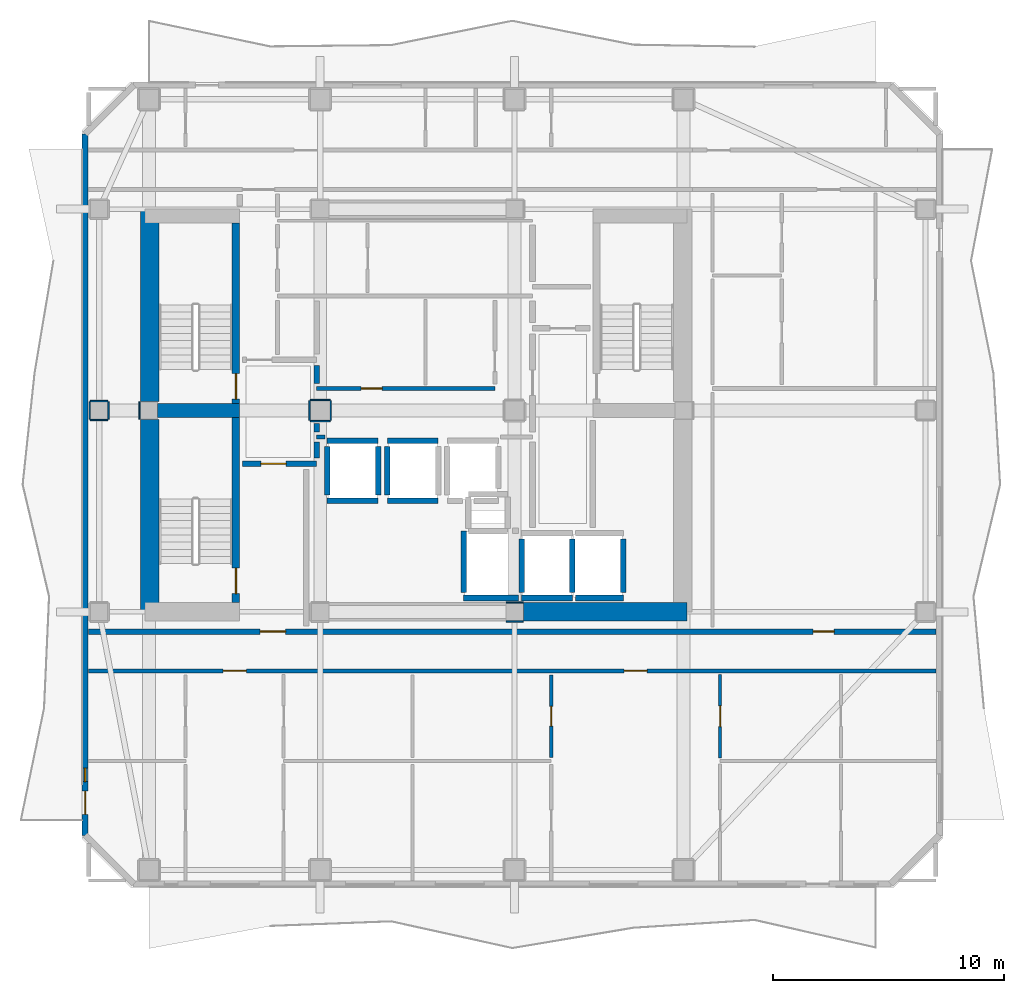
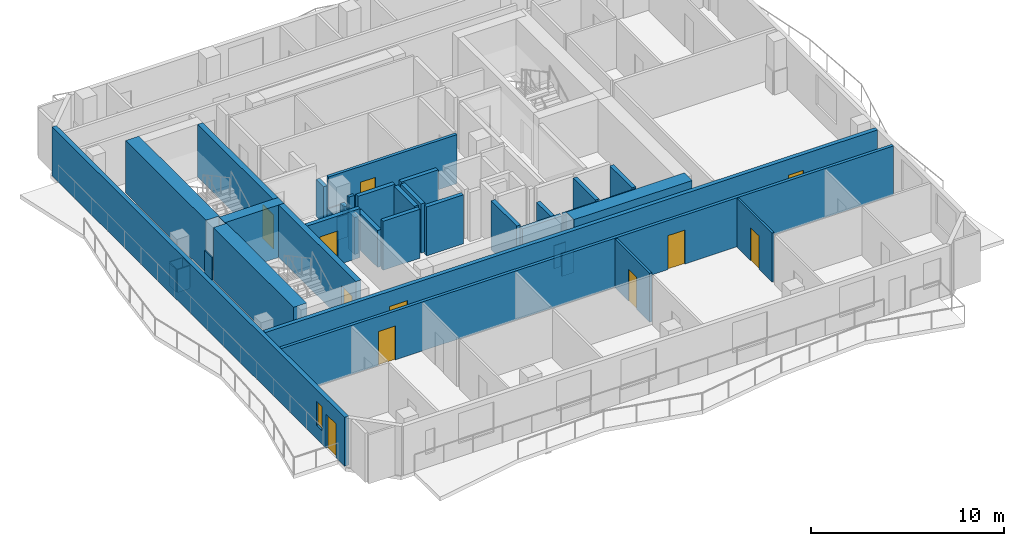
# One storey, part 3 of 9: 42 walls, 11 doors, 1 window, 12 openings.
"""IFC4 building model written with IfcOpenShell, lengths in metres."""

import ifcopenshell
import ifcopenshell.guid

model = None  # the IFC model being written
_history = None  # IfcOwnerHistory: only IFC2X3 demands one
_inside = {}  # id of a spatial element -> (the spatial element, [elements in it])
_under = {}  # id of a project, library or spatial element -> (it, [spatial elements below it])
_declared = {}  # id of a project -> (the project, [libraries it declares])
_typed = {}  # id of a type object -> (the type object, [elements of that type])
_made_of = {}  # id of a material, layer set ... -> (it, [elements and type objects made of it])


def new_model(schema):
    """Start an empty IFC model of exactly this schema.

    Asked for "IFC4X3", IfcOpenShell would pick the latest addendum, in which some entities
    have other attributes; the version numbers below select the first issue.
    IFC2X3 requires an IfcOwnerHistory on every rooted entity: one is made here for all.
    """
    global model, _history
    if schema == "IFC4X3":
        model = ifcopenshell.file(schema_version=(4, 3, 0, 0))
    else:
        model = ifcopenshell.file(schema=schema)
    _inside.clear()
    _under.clear()
    _declared.clear()
    _typed.clear()
    _made_of.clear()
    _history = None
    if model.schema == "IFC2X3":
        org = make("IfcOrganization", Name="unknown")
        user = make(
            "IfcPersonAndOrganization",
            ThePerson=make("IfcPerson", FamilyName="unknown"),
            TheOrganization=org,
        )
        app = make(
            "IfcApplication",
            ApplicationDeveloper=org,
            Version="unknown",
            ApplicationFullName="unknown",
            ApplicationIdentifier="unknown",
        )
        _history = make(
            "IfcOwnerHistory",
            OwningUser=user,
            OwningApplication=app,
            ChangeAction="ADDED",
            CreationDate=0,
        )
    return model


def make(cls, **values):
    """One entity of the class cls with the attributes given. An attribute that is None is left unset."""
    return model.create_entity(
        cls, **{name: value for name, value in values.items() if value is not None}
    )


def rooted(cls, **values):
    """An entity with a GlobalId (a new one), such as an element, a storey or a relation."""
    return make(cls, GlobalId=ifcopenshell.guid.new(), OwnerHistory=_history, **values)


def si_unit(unit_type, name, prefix=None):
    """IfcSIUnit, for example si_unit("LENGTHUNIT", "METRE", prefix="MILLI")."""
    return make("IfcSIUnit", UnitType=unit_type, Prefix=prefix, Name=name)


def assignment(units):
    """IfcUnitAssignment: the units of a project."""
    return None if units is None else make("IfcUnitAssignment", Units=units)


def point(xyz):
    """IfcCartesianPoint."""
    return None if xyz is None else make("IfcCartesianPoint", Coordinates=xyz)


def direction(xyz):
    """IfcDirection."""
    return None if xyz is None else make("IfcDirection", DirectionRatios=xyz)


def frame(location, z_axis=None, x_axis=None):
    """IfcAxis2Placement3D, a coordinate frame: its origin and axes. An axis left out is left unset."""
    return make(
        "IfcAxis2Placement3D",
        Location=point(location),
        Axis=direction(z_axis),
        RefDirection=direction(x_axis),
    )


def frame_2d(location, x_axis=None):
    """IfcAxis2Placement2D, a coordinate frame in the plane: its origin and x axis."""
    return make(
        "IfcAxis2Placement2D", Location=point(location), RefDirection=direction(x_axis)
    )


def origin():
    """The frame at (0, 0, 0) with its axes left unset."""
    return frame((0.0, 0.0, 0.0))


def place(relative_to, where):
    """IfcLocalPlacement: puts the frame where relative to a parent placement (None: the world)."""
    return make(
        "IfcLocalPlacement", PlacementRelTo=relative_to, RelativePlacement=where
    )


def context(
    kind, dimensions, precision=None, world=None, true_north=None, identifier=None
):
    """IfcGeometricRepresentationContext, for example the 3D "Model" context."""
    return make(
        "IfcGeometricRepresentationContext",
        ContextIdentifier=identifier,
        ContextType=kind,
        CoordinateSpaceDimension=dimensions,
        Precision=precision,
        WorldCoordinateSystem=world,
        TrueNorth=true_north,
    )


def subcontext(parent, identifier, kind, view, scale=None):
    """IfcGeometricRepresentationSubContext, for example "Body" below "Model"."""
    return make(
        "IfcGeometricRepresentationSubContext",
        ContextIdentifier=identifier,
        ContextType=kind,
        ParentContext=parent,
        TargetScale=scale,
        TargetView=view,
    )


def project(units=None, contexts=None):
    """IfcProject with its units and contexts."""
    return rooted(
        "IfcProject",
        Name="project",
        RepresentationContexts=contexts,
        UnitsInContext=assignment(units),
    )


def spatial(cls, under=None, at=None, **own):
    """A site, building, storey or space (cls), placed at a placement, below another one or the project."""
    s = rooted(cls, ObjectPlacement=at, **own)
    if under is not None:
        _under.setdefault(under.id(), (under, []))[1].append(s)
    return s


def profile(cls, at=None, kind="AREA", **sizes):
    """A parametric profile (cls). Its sizes go by their IFC names, for example OverallWidth=200.0."""
    return make(cls, ProfileType=kind, Position=at, **sizes)


def rectangle(**sizes):
    """IfcRectangleProfileDef."""
    return profile("IfcRectangleProfileDef", **sizes)


def extrude(swept, where, along, depth):
    """IfcExtrudedAreaSolid: the profile swept, set in the frame where, extruded along a direction by depth."""
    return make(
        "IfcExtrudedAreaSolid",
        SweptArea=swept,
        Position=where,
        ExtrudedDirection=direction(along),
        Depth=depth,
    )


def shape(context_of_items, identifier, shape_type, items):
    """IfcShapeRepresentation: the items that make up one representation, for example the "Body"."""
    return make(
        "IfcShapeRepresentation",
        ContextOfItems=context_of_items,
        RepresentationIdentifier=identifier,
        RepresentationType=shape_type,
        Items=items,
    )


def material(Name=None, Category=None):
    """IfcMaterial."""
    return make("IfcMaterial", Name=Name, Category=Category)


def layer(
    of_material, thickness, ventilated=None, Name=None, Category=None, Priority=None
):
    """IfcMaterialLayer: one layer of a wall or slab, of a material (None: an air gap)."""
    return make(
        "IfcMaterialLayer",
        Material=of_material,
        LayerThickness=thickness,
        IsVentilated=ventilated,
        Name=Name,
        Category=Category,
        Priority=Priority,
    )


def layer_set(layers, Name=None):
    """IfcMaterialLayerSet."""
    return make("IfcMaterialLayerSet", MaterialLayers=layers, LayerSetName=Name)


def made_of(thing, what):
    """Note that an element or type object is made of a material, layer set ...; save() writes the relation."""
    if what is not None:
        _made_of.setdefault(what.id(), (what, []))[1].append(thing)
    return thing


def type_object(cls, material=None, **own):
    """A type object (cls), such as IfcWallType, which elements share."""
    return made_of(rooted(cls, **own), material)


def element(
    cls,
    number,
    at=None,
    inside=None,
    cuts=None,
    type_object=None,
    material=None,
    context=None,
    identifier="Body",
    shape_type=None,
    held_by="IfcProductDefinitionShape",
    body=None,
    shapes=None,
    **own,
):
    """One element of the class cls, such as IfcWall. Its Tag is "e" and its number.

    at: its placement. inside: the storey or other place that contains it. cuts: it is an
    opening in that element (IfcRelVoidsElement). A single representation is given by context,
    identifier, shape_type and body (its items); several are given by shapes. held_by: the class
    of the entity that holds the representations. save() writes the other relations.
    """
    e = rooted(cls, Tag="e%d" % number, ObjectPlacement=at, **own)
    if body is not None:
        shapes = [shape(context, identifier, shape_type, body)]
    if shapes is not None:
        e.Representation = make(held_by, Representations=shapes)
    if inside is not None:
        _inside.setdefault(inside.id(), (inside, []))[1].append(e)
    if cuts is not None:
        rooted(
            "IfcRelVoidsElement", RelatingBuildingElement=cuts, RelatedOpeningElement=e
        )
    if type_object is not None:
        _typed.setdefault(type_object.id(), (type_object, []))[1].append(e)
    return made_of(e, material)


def fill(opening, filler):
    """IfcRelFillsElement: the door or window that sits in an opening."""
    return rooted(
        "IfcRelFillsElement",
        RelatingOpeningElement=opening,
        RelatedBuildingElement=filler,
    )


def aggregate(whole, parts):
    """IfcRelAggregates: a whole, such as a stair, and the parts it consists of."""
    return rooted("IfcRelAggregates", RelatingObject=whole, RelatedObjects=parts)


def save(model, path):
    """Write the relations noted so far, then the file.

    IfcRelAggregates (storeys below a building ...), IfcRelContainedInSpatialStructure (elements
    in a storey), IfcRelDefinesByType, IfcRelAssociatesMaterial and IfcRelDeclares: one each for
    every whole, place, type object, material and project.
    """
    for whole, parts in _under.values():
        aggregate(whole, parts)
    for where, things in _inside.values():
        rooted(
            "IfcRelContainedInSpatialStructure",
            RelatedElements=things,
            RelatingStructure=where,
        )
    for kind, things in _typed.values():
        rooted("IfcRelDefinesByType", RelatedObjects=things, RelatingType=kind)
    for what, things in _made_of.values():
        rooted("IfcRelAssociatesMaterial", RelatedObjects=things, RelatingMaterial=what)
    for by, libraries in _declared.values():
        rooted("IfcRelDeclares", RelatingContext=by, RelatedDefinitions=libraries)
    model.write(path)


model = new_model("IFC4")

# Units and contexts
model_context = context("Model", 3, precision=1e-05, world=origin(), true_north=direction((0.0, 1.0)))
body_context = subcontext(model_context, "Body", "Model", "MODEL_VIEW")
ifc_project = project(units=[si_unit("LENGTHUNIT", "METRE"), si_unit("AREAUNIT", "SQUARE_METRE"), si_unit("VOLUMEUNIT", "CUBIC_METRE"), si_unit("PLANEANGLEUNIT", "RADIAN"), si_unit("MASSUNIT", "GRAM", prefix="KILO")], contexts=[model_context])

# Site, building, storey
site_placement = place(None, origin())
site = spatial("IfcSite", under=ifc_project, at=site_placement, CompositionType="ELEMENT")
building_placement = place(site_placement, origin())
building = spatial("IfcBuilding", under=site, at=building_placement, Name="Solanera Arch Residences", CompositionType="ELEMENT")
storey_placement = place(building_placement, frame((0.0, 0.0, 213.39990234375)))
storey = spatial("IfcBuildingStorey", under=building, at=storey_placement, Name="L62", CompositionType="ELEMENT", Elevation=213.39990234375)

# Walls
ifc_material_1 = material(Name="Fire-Rated Gypsum Stud Partition", Category="gypsum")
ifc_layer_1 = layer(ifc_material_1, 0.06005859375)
ifc_layer_set_1 = layer_set([ifc_layer_1], Name="Fire-Rated Gypsum Stud Partition")
wall_type_1 = type_object("IfcWallType", Name="Column Acoustic Furring Wall 60", PredefinedType="PARTITIONING", material=ifc_layer_set_1)
for number, where, z_axis, x_axis, name in (
    (1, (28.8330078125, 21.593017578125, 0.0), (0.0, 0.0, 1.0), (1.0, 0.0, 0.0), "L62 Column Furring 2S"),
    (2, (28.8330078125, 22.406982421875, 0.0), (0.0, 0.0, 1.0), (1.0, 0.0, 0.0), "L62 Column Furring 2N"),
):
    element("IfcWall", number, at=place(storey_placement, frame(where, z_axis=z_axis, x_axis=x_axis)), inside=storey, type_object=wall_type_1, Name=name, PredefinedType="PARTITIONING", context=body_context, shape_type="SweptSolid", body=[
        extrude(rectangle(XDim=0.73388671875, YDim=0.06005859375, at=frame_2d((0.366943359375, 0.0))), origin(), (0.0, 0.0, 1.0), 1.4501953125),
    ])
wall_1_placement = place(storey_placement, frame((12.992919921875, 30.324951171875, 0.0), z_axis=(0.0, 0.0, 1.0), x_axis=(0.0, 1.0, 0.0)))
element("IfcWall", 3, at=wall_1_placement, inside=storey, type_object=wall_type_1, Name="L62 Column Furring 5W", PredefinedType="PARTITIONING", context=body_context, shape_type="SweptSolid", body=[
    extrude(rectangle(XDim=0.75, YDim=0.06005859375, at=frame_2d((0.375, 0.0))), origin(), (0.0, 0.0, 1.0), 1.4501953125),
])
for number, where, z_axis, x_axis, name in (
    (4, (20.375, 30.242919921875, 0.0), (0.0, 0.0, 1.0), (1.0, 0.0, 0.0), "L62 Column Furring 7S"),
    (5, (20.375, 31.156982421875, 0.0), (0.0, 0.0, 1.0), (1.0, 0.0, 0.0), "L62 Column Furring 7N"),
    (6, (20.343017578125, 30.27490234375, 0.0), (0.0, 0.0, 1.0), (0.0, 1.0, 0.0), "L62 Column Furring 7W"),
    (7, (21.257080078125, 30.27490234375, 0.0), (0.0, 0.0, 1.0), (0.0, 1.0, 0.0), "L62 Column Furring 7E"),
):
    element("IfcWall", number, at=place(storey_placement, frame(where, z_axis=z_axis, x_axis=x_axis)), inside=storey, type_object=wall_type_1, Name=name, PredefinedType="PARTITIONING", context=body_context, shape_type="SweptSolid", body=[
        extrude(rectangle(XDim=0.85009765625, YDim=0.06005859375, at=frame_2d((0.425048828125, 0.0))), origin(), (0.0, 0.0, 1.0), 1.4501953125),
    ])
for number, where, z_axis, x_axis, name in (
    (8, (10.875, 30.29296875, 0.0), (0.0, 0.0, 1.0), (1.0, 0.0, 0.0), "L62 Column Furring 19S"),
    (9, (10.875, 31.10693359375, 0.0), (0.0, 0.0, 1.0), (1.0, 0.0, 0.0), "L62 Column Furring 19N"),
    (10, (10.843017578125, 30.324951171875, 0.0), (0.0, 0.0, 1.0), (0.0, 1.0, 0.0), "L62 Column Furring 19W"),
    (11, (11.656982421875, 30.324951171875, 0.0), (0.0, 0.0, 1.0), (0.0, 1.0, 0.0), "L62 Column Furring 19E"),
):
    element("IfcWall", number, at=place(storey_placement, frame(where, z_axis=z_axis, x_axis=x_axis)), inside=storey, type_object=wall_type_1, Name=name, PredefinedType="PARTITIONING", context=body_context, shape_type="SweptSolid", body=[
        extrude(rectangle(XDim=0.75, YDim=0.06005859375, at=frame_2d((0.375, 0.0))), origin(), (0.0, 0.0, 1.0), 1.4501953125),
    ])

# Wall, opening, door
ifc_material_2 = material(Name="Concrete C40/50 (f'c = 45 MPa)", Category="concrete")
ifc_layer_2 = layer(ifc_material_2, 0.320068359375)
ifc_layer_set_2 = layer_set([ifc_layer_2], Name="Concrete C40/50 (f'c = 45 MPa)")
wall_type_2 = type_object("IfcWallType", Name="Core Shear Wall CW-320", PredefinedType="SHEAR", material=ifc_layer_set_2)
wall_2_placement = place(storey_placement, frame((17.159912109375, 31.0, 0.0), z_axis=(0.0, 0.0, 1.0), x_axis=(0.0, 1.0, 0.0)))
wall_2 = element("IfcWall", 12, at=wall_2_placement, inside=storey, type_object=wall_type_2, Name="L62 Stair ST-T1 East Shear Wall", PredefinedType="SHEAR", context=body_context, shape_type="SweptSolid", body=[
    extrude(rectangle(XDim=7.800048828125, YDim=0.320068359375, at=frame_2d((3.89990234375, 0.0))), origin(), (0.0, 0.0, 1.0), 3.320068359375),
])
opening_1_placement = place(wall_2_placement, frame((0.18994140625, 0.0, 0.0)))
opening_1 = element("IfcOpeningElement", 13, at=opening_1_placement, cuts=wall_2, Name="Opening DF-01", PredefinedType="OPENING", context=body_context, shape_type="SweptSolid", body=[
    extrude(rectangle(XDim=1.10009765625, YDim=2.14990234375, at=frame_2d((0.550048828125, 1.074951171875))), frame((0.0, 0.169921875, 0.0), z_axis=(0.0, -1.0, 0.0), x_axis=(1.0, 0.0, 0.0)), (0.0, 0.0, 1.0), 0.3401),
])
ifc_material_3 = material(Name="Fire-Rated Architectural Hardwood", Category="wood")
door_type_1 = type_object("IfcDoorType", Name="Stair Exit Fire Door DF-01", OperationType="NOTDEFINED", PredefinedType="DOOR", material=ifc_material_3)
door_1_placement = place(opening_1_placement, origin())
door_1 = element("IfcDoor", 14, at=door_1_placement, inside=storey, type_object=door_type_1, Name="DR-L62-STAIR-ST-T1", OperationType="SINGLE_SWING_RIGHT", OverallHeight=2.14990234375, OverallWidth=1.10009765625, PredefinedType="DOOR", context=body_context, shape_type="SweptSolid", body=[
    extrude(rectangle(XDim=1.10009765625, YDim=2.14990234375, at=frame_2d((0.550048828125, 1.074951171875))), frame((0.0, 0.02490234375, 0.0), z_axis=(0.0, -1.0, 0.0), x_axis=(1.0, 0.0, 0.0)), (0.0, 0.0, 1.0), 0.050048828125),
])
fill(opening_1, door_1)

wall_3_placement = place(storey_placement, frame((17.159912109375, 22.39990234375, 0.0), z_axis=(0.0, 0.0, 1.0), x_axis=(0.0, 1.0, 0.0)))
wall_3 = element("IfcWall", 15, at=wall_3_placement, inside=storey, type_object=wall_type_2, Name="L62 Stair ST-T3 East Shear Wall", PredefinedType="SHEAR", context=body_context, shape_type="SweptSolid", body=[
    extrude(rectangle(XDim=8.0, YDim=0.320068359375, at=frame_2d((4.0, 0.0))), origin(), (0.0, 0.0, 1.0), 3.320068359375),
])
opening_2_placement = place(wall_3_placement, frame((0.389892578125, 0.0, 0.0)))
opening_2 = element("IfcOpeningElement", 16, at=opening_2_placement, cuts=wall_3, Name="Opening DF-01", PredefinedType="OPENING", context=body_context, shape_type="SweptSolid", body=[
    extrude(rectangle(XDim=1.10009765625, YDim=2.14990234375, at=frame_2d((0.550048828125, 1.074951171875))), frame((0.0, 0.169921875, 0.0), z_axis=(0.0, -1.0, 0.0), x_axis=(1.0, 0.0, 0.0)), (0.0, 0.0, 1.0), 0.3401),
])
door_2_placement = place(opening_2_placement, origin())
door_2 = element("IfcDoor", 17, at=door_2_placement, inside=storey, type_object=door_type_1, Name="DR-L62-STAIR-ST-T3", OperationType="SINGLE_SWING_RIGHT", OverallHeight=2.14990234375, OverallWidth=1.10009765625, PredefinedType="DOOR", context=body_context, shape_type="SweptSolid", body=[
    extrude(rectangle(XDim=1.10009765625, YDim=2.14990234375, at=frame_2d((0.550048828125, 1.074951171875))), frame((0.0, 0.02490234375, 0.0), z_axis=(0.0, -1.0, 0.0), x_axis=(1.0, 0.0, 0.0)), (0.0, 0.0, 1.0), 0.050048828125),
])
fill(opening_2, door_2)

# Walls
ifc_material_4 = material(Name="Concrete C40/50 (f'c = 45 MPa)", Category="concrete")
ifc_layer_3 = layer(ifc_material_4, 0.60009765625)
ifc_layer_set_3 = layer_set([ifc_layer_3], Name="Concrete C40/50 (f'c = 45 MPa)")
wall_type_3 = type_object("IfcWallType", Name="Core Shear Wall CW-600", PredefinedType="SHEAR", material=ifc_layer_set_3)
wall_4_placement = place(storey_placement, frame((13.780029296875, 30.699951171875, 0.0), z_axis=(0.0, 0.0, 1.0), x_axis=(1.0, 0.0, 0.0)))
element("IfcWall", 18, at=wall_4_placement, inside=storey, type_object=wall_type_3, Name="L62 West Stair Divider Shear Wall", PredefinedType="SHEAR", context=body_context, shape_type="SweptSolid", body=[
    extrude(rectangle(XDim=3.5400390625, YDim=0.60009765625, at=frame_2d((1.77001953125, 0.0))), origin(), (0.0, 0.0, 1.0), 3.320068359375),
])
ifc_material_5 = material(Name="Concrete C40/50 (f'c = 45 MPa)", Category="concrete")
ifc_layer_4 = layer(ifc_material_5, 0.800048828125)
ifc_layer_set_4 = layer_set([ifc_layer_4], Name="Concrete C40/50 (f'c = 45 MPa)")
wall_type_4 = type_object("IfcWallType", Name="Core Shear Wall CW-800", PredefinedType="SHEAR", material=ifc_layer_set_4)
wall_5_placement = place(storey_placement, frame((13.43994140625, 22.0, 0.0), z_axis=(0.0, 0.0, 1.0), x_axis=(0.0, 1.0, 0.0)))
element("IfcWall", 19, at=wall_5_placement, inside=storey, type_object=wall_type_4, Name="L62 West Core South Shear Wall", PredefinedType="SHEAR", context=body_context, shape_type="SweptSolid", body=[
    extrude(rectangle(XDim=8.320068359375, YDim=0.800048828125, at=frame_2d((4.16015625, 0.0))), origin(), (0.0, 0.0, 1.0), 3.320068359375),
])
wall_6_placement = place(storey_placement, frame((13.43994140625, 31.080078125, 0.0), z_axis=(0.0, 0.0, 1.0), x_axis=(0.0, 1.0, 0.0)))
element("IfcWall", 20, at=wall_6_placement, inside=storey, type_object=wall_type_4, Name="L62 West Core North Shear Wall", PredefinedType="SHEAR", context=body_context, shape_type="SweptSolid", body=[
    extrude(rectangle(XDim=8.31982421875, YDim=0.800048828125, at=frame_2d((4.159912109375, 0.0))), origin(), (0.0, 0.0, 1.0), 3.320068359375),
])
wall_7_placement = place(storey_placement, frame((29.580078125, 22.0, 0.0), z_axis=(0.0, 0.0, 1.0), x_axis=(1.0, 0.0, 0.0)))
element("IfcWall", 21, at=wall_7_placement, inside=storey, type_object=wall_type_4, Name="L62 South-East Core Shear Wall", PredefinedType="SHEAR", context=body_context, shape_type="SweptSolid", body=[
    extrude(rectangle(XDim=7.079833984375, YDim=0.800048828125, at=frame_2d((3.5400390625, 0.0))), origin(), (0.0, 0.0, 1.0), 3.320068359375),
])

# Wall, openings, doors
ifc_material_6 = material(Name="Autoclaved Aerated Concrete Blockwork", Category="masonry")
ifc_layer_5 = layer(ifc_material_6, 0.179931640625)
ifc_layer_set_5 = layer_set([ifc_layer_5], Name="Autoclaved Aerated Concrete Blockwork")
wall_type_5 = type_object("IfcWallType", Name="Corridor Fire Partition 180", PredefinedType="PARTITIONING", material=ifc_layer_set_5)
wall_8_placement = place(storey_placement, frame((10.787109375, 19.449951171875, 0.0), z_axis=(0.0, 0.0, 1.0), x_axis=(1.0, 0.0, 0.0)))
wall_8 = element("IfcWall", 22, at=wall_8_placement, inside=storey, type_object=wall_type_5, Name="L62 Interior Partition H6", PredefinedType="PARTITIONING", context=body_context, shape_type="SweptSolid", body=[
    extrude(rectangle(XDim=36.6259765625, YDim=0.179931640625, at=frame_2d((18.31298828125, 0.0))), origin(), (0.0, 0.0, 1.0), 3.10009765625),
])
opening_3_placement = place(wall_8_placement, frame((5.820068359375, 0.0, 0.0)))
opening_3 = element("IfcOpeningElement", 23, at=opening_3_placement, cuts=wall_8, Name="Opening DI-01", PredefinedType="OPENING", context=body_context, shape_type="SweptSolid", body=[
    extrude(rectangle(XDim=1.0, YDim=2.14990234375, at=frame_2d((0.5, 1.074951171875))), frame((0.0, 0.10009765625, 0.0), z_axis=(0.0, -1.0, 0.0), x_axis=(1.0, 0.0, 0.0)), (0.0, 0.0, 1.0), 0.1999),
])
opening_4_placement = place(wall_8_placement, frame((23.14306640625, 0.0, 0.0)))
opening_4 = element("IfcOpeningElement", 24, at=opening_4_placement, cuts=wall_8, Name="Opening DI-01", PredefinedType="OPENING", context=body_context, shape_type="SweptSolid", body=[
    extrude(rectangle(XDim=1.0, YDim=2.14990234375, at=frame_2d((0.5, 1.074951171875))), frame((0.0, 0.10009765625, 0.0), z_axis=(0.0, -1.0, 0.0), x_axis=(1.0, 0.0, 0.0)), (0.0, 0.0, 1.0), 0.1999),
])
ifc_material_7 = material(Name="Fire-Rated Architectural Hardwood", Category="wood")
door_type_2 = type_object("IfcDoorType", Name="Unit Entrance Fire Door DI-01", OperationType="NOTDEFINED", PredefinedType="DOOR", material=ifc_material_7)
door_3_placement = place(opening_3_placement, origin())
door_3 = element("IfcDoor", 25, at=door_3_placement, inside=storey, type_object=door_type_2, Name="DR-L62-IN-014", OperationType="SINGLE_SWING_LEFT", OverallHeight=2.14990234375, OverallWidth=1.0, PredefinedType="DOOR", context=body_context, shape_type="SweptSolid", body=[
    extrude(rectangle(XDim=1.0, YDim=2.14990234375, at=frame_2d((0.5, 1.074951171875))), frame((0.0, 0.02490234375, 0.0), z_axis=(0.0, -1.0, 0.0), x_axis=(1.0, 0.0, 0.0)), (0.0, 0.0, 1.0), 0.050048828125),
])
fill(opening_3, door_3)
door_4_placement = place(opening_4_placement, origin())
door_4 = element("IfcDoor", 26, at=door_4_placement, inside=storey, type_object=door_type_2, Name="DR-L62-IN-019", OperationType="SINGLE_SWING_RIGHT", OverallHeight=2.14990234375, OverallWidth=1.0, PredefinedType="DOOR", context=body_context, shape_type="SweptSolid", body=[
    extrude(rectangle(XDim=1.0, YDim=2.14990234375, at=frame_2d((0.5, 1.074951171875))), frame((0.0, 0.02490234375, 0.0), z_axis=(0.0, -1.0, 0.0), x_axis=(1.0, 0.0, 0.0)), (0.0, 0.0, 1.0), 0.050048828125),
])
fill(opening_4, door_4)

# Wall
wall_9_placement = place(storey_placement, frame((20.64990234375, 29.550048828125, 0.0), z_axis=(0.0, 0.0, 1.0), x_axis=(1.0, 0.0, 0.0)))
element("IfcWall", 27, at=wall_9_placement, inside=storey, type_object=wall_type_5, Name="L62 Interior Partition H7 1", PredefinedType="PARTITIONING", context=body_context, shape_type="SweptSolid", body=[
    extrude(rectangle(XDim=0.357177734375, YDim=0.179931640625, at=frame_2d((0.1787109375, 0.0))), origin(), (0.0, 0.0, 1.0), 3.10009765625),
])

# Wall, opening, door
wall_10_placement = place(storey_placement, frame((20.64990234375, 31.64990234375, 0.0), z_axis=(0.0, 0.0, 1.0), x_axis=(1.0, 0.0, 0.0)))
wall_10 = element("IfcWall", 28, at=wall_10_placement, inside=storey, type_object=wall_type_5, Name="L62 Interior Partition H8", PredefinedType="PARTITIONING", context=body_context, shape_type="SweptSolid", body=[
    extrude(rectangle(XDim=7.7001953125, YDim=0.179931640625, at=frame_2d((3.85009765625, 0.0))), origin(), (0.0, 0.0, 1.0), 3.10009765625),
])
opening_5_placement = place(wall_10_placement, frame((1.924072265625, 0.0, 0.0)))
opening_5 = element("IfcOpeningElement", 29, at=opening_5_placement, cuts=wall_10, Name="Opening DI-02", PredefinedType="OPENING", context=body_context, shape_type="SweptSolid", body=[
    extrude(rectangle(XDim=0.89990234375, YDim=2.10009765625, at=frame_2d((0.449951171875, 1.050048828125))), frame((0.0, 0.10009765625, 0.0), z_axis=(0.0, -1.0, 0.0), x_axis=(1.0, 0.0, 0.0)), (0.0, 0.0, 1.0), 0.1999),
])
ifc_material_8 = material(Name="Fire-Rated Architectural Hardwood", Category="wood")
door_type_3 = type_object("IfcDoorType", Name="Suite Room Swing Door DI-02", OperationType="NOTDEFINED", PredefinedType="DOOR", material=ifc_material_8)
door_5_placement = place(opening_5_placement, origin())
door_5 = element("IfcDoor", 30, at=door_5_placement, inside=storey, type_object=door_type_3, Name="DR-L62-IN-012", OperationType="SINGLE_SWING_LEFT", OverallHeight=2.10009765625, OverallWidth=0.89990234375, PredefinedType="DOOR", context=body_context, shape_type="SweptSolid", body=[
    extrude(rectangle(XDim=0.89990234375, YDim=2.10009765625, at=frame_2d((0.449951171875, 1.050048828125))), frame((0.0, 0.02490234375, 0.0), z_axis=(0.0, -1.0, 0.0), x_axis=(1.0, 0.0, 0.0)), (0.0, 0.0, 1.0), 0.050048828125),
])
fill(opening_5, door_5)

# Wall, openings, door, window
ifc_material_9 = material(Name="Precast Concrete C35/45", Category="concrete")
ifc_layer_6 = layer(ifc_material_9, 0.260009765625)
ifc_layer_set_6 = layer_set([ifc_layer_6], Name="Precast Concrete C35/45")
wall_type_6 = type_object("IfcWallType", Name="Exterior Wall Precast Masonry-Frame 260", PredefinedType="STANDARD", material=ifc_layer_set_6)
wall_11_placement = place(storey_placement, frame((10.64501953125, 12.344970703125, 0.0), z_axis=(0.0, 0.0, 1.0), x_axis=(0.0, 1.0, 0.0)))
wall_11 = element("IfcWall", 31, at=wall_11_placement, inside=storey, type_object=wall_type_6, Name="L62 Tower Exterior Precast Masonry-Frame Wall W", PredefinedType="STANDARD", context=body_context, shape_type="SweptSolid", body=[
    extrude(rectangle(XDim=30.31005859375, YDim=0.260009765625, at=frame_2d((15.155029296875, 0.0))), origin(), (0.0, 0.0, 1.0), 3.10009765625),
])
opening_6_placement = place(wall_11_placement, frame((0.909912109375, 0.0, 0.0)))
opening_6 = element("IfcOpeningElement", 32, at=opening_6_placement, cuts=wall_11, Name="Opening DB-01", PredefinedType="OPENING", context=body_context, shape_type="SweptSolid", body=[
    extrude(rectangle(XDim=1.0, YDim=2.14990234375, at=frame_2d((0.5, 1.074951171875))), frame((0.0, 0.139892578125, 0.0), z_axis=(0.0, -1.0, 0.0), x_axis=(1.0, 0.0, 0.0)), (0.0, 0.0, 1.0), 0.28),
])
opening_7_placement = place(wall_11_placement, frame((2.322021484375, 0.0, 0.85009765625)))
opening_7 = element("IfcOpeningElement", 33, at=opening_7_placement, cuts=wall_11, Name="Opening W-14", PredefinedType="OPENING", context=body_context, shape_type="SweptSolid", body=[
    extrude(rectangle(XDim=0.580078125, YDim=1.5, at=frame_2d((0.2900390625, 0.75))), frame((0.0, 0.139892578125, 0.0), z_axis=(0.0, -1.0, 0.0), x_axis=(1.0, 0.0, 0.0)), (0.0, 0.0, 1.0), 0.28),
])
ifc_material_10 = material(Name="Anodised Aluminium Alloy 6063-T6", Category="aluminium")
door_type_4 = type_object("IfcDoorType", Name="Glazed Balcony Swing Door DB-01", OperationType="NOTDEFINED", PredefinedType="DOOR", material=ifc_material_10)
door_6_placement = place(opening_6_placement, origin())
door_6 = element("IfcDoor", 34, at=door_6_placement, inside=storey, type_object=door_type_4, Name="DR-L62-OUT-04", OperationType="SINGLE_SWING_LEFT", OverallHeight=2.14990234375, OverallWidth=1.0, PredefinedType="DOOR", context=body_context, shape_type="SweptSolid", body=[
    extrude(rectangle(XDim=1.0, YDim=2.14990234375, at=frame_2d((0.5, 1.074951171875))), frame((0.0, 0.02490234375, 0.0), z_axis=(0.0, -1.0, 0.0), x_axis=(1.0, 0.0, 0.0)), (0.0, 0.0, 1.0), 0.050048828125),
])
fill(opening_6, door_6)
ifc_material_11 = material(Name="Double Glazed Low-E Laminated Glass", Category="glass")
window_type = type_object("IfcWindowType", Name="Punched Window W-14", PartitioningType="SINGLE_PANEL", PredefinedType="WINDOW", material=ifc_material_11)
window_placement = place(opening_7_placement, origin())
window = element("IfcWindow", 35, at=window_placement, inside=storey, type_object=window_type, Name="L62 6201-BR1 Punched Window", OverallHeight=1.5, OverallWidth=0.580078125, PartitioningType="SINGLE_PANEL", PredefinedType="WINDOW", context=body_context, shape_type="SweptSolid", body=[
    extrude(rectangle(XDim=0.580078125, YDim=1.5, at=frame_2d((0.2900390625, 0.75))), frame((0.0, 0.030029296875, 0.0), z_axis=(0.0, -1.0, 0.0), x_axis=(1.0, 0.0, 0.0)), (0.0, 0.0, 1.0), 0.06005859375),
])
fill(opening_7, window)

# Walls
ifc_material_12 = material(Name="Autoclaved Aerated Concrete Blockwork", Category="masonry")
ifc_layer_7 = layer(ifc_material_12, 0.239990234375)
ifc_layer_set_7 = layer_set([ifc_layer_7], Name="Autoclaved Aerated Concrete Blockwork")
wall_type_7 = type_object("IfcWallType", Name="Shaft Wall Fire-Rated 240", PredefinedType="PARTITIONING", material=ifc_layer_set_7)
for number, where, z_axis, x_axis, name in (
    (36, (21.10009765625, 26.800048828125, 0.0), (0.0, 0.0, 1.0), (1.0, 0.0, 0.0), "L62 Lift PL-H1 Hoistway Wall S"),
    (37, (21.10009765625, 29.39990234375, 0.0), (0.0, 0.0, 1.0), (1.0, 0.0, 0.0), "L62 Lift PL-H1 Hoistway Wall N"),
):
    element("IfcWall", number, at=place(storey_placement, frame(where, z_axis=z_axis, x_axis=x_axis)), inside=storey, type_object=wall_type_7, Name=name, PredefinedType="PARTITIONING", context=body_context, shape_type="SweptSolid", body=[
        extrude(rectangle(XDim=2.199951171875, YDim=0.239990234375, at=frame_2d((1.10009765625, 0.0))), origin(), (0.0, 0.0, 1.0), 3.10009765625),
    ])
wall_12_placement = place(storey_placement, frame((21.10009765625, 27.048095703125, 0.0), z_axis=(0.0, 0.0, 1.0), x_axis=(0.0, 1.0, 0.0)))
element("IfcWall", 38, at=wall_12_placement, inside=storey, type_object=wall_type_7, Name="L62 Lift PL-H1 Hoistway Wall W", PredefinedType="PARTITIONING", context=body_context, shape_type="SweptSolid", body=[
    extrude(rectangle(XDim=2.10400390625, YDim=0.239990234375, at=frame_2d((1.052001953125, 0.0))), origin(), (0.0, 0.0, 1.0), 2.335205078125),
])
wall_13_placement = place(storey_placement, frame((23.300048828125, 27.048095703125, 0.0), z_axis=(0.0, 0.0, 1.0), x_axis=(0.0, 1.0, 0.0)))
element("IfcWall", 39, at=wall_13_placement, inside=storey, type_object=wall_type_7, Name="L62 Lift PL-H1 Hoistway Wall E", PredefinedType="PARTITIONING", context=body_context, shape_type="SweptSolid", body=[
    extrude(rectangle(XDim=2.10400390625, YDim=0.239990234375, at=frame_2d((1.052001953125, 0.0))), origin(), (0.0, 0.0, 1.0), 3.10009765625),
])
for number, where, z_axis, x_axis, name in (
    (40, (23.699951171875, 26.800048828125, 0.0), (0.0, 0.0, 1.0), (1.0, 0.0, 0.0), "L62 Lift PL-H2 Hoistway Wall S"),
    (41, (23.699951171875, 29.39990234375, 0.0), (0.0, 0.0, 1.0), (1.0, 0.0, 0.0), "L62 Lift PL-H2 Hoistway Wall N"),
):
    element("IfcWall", number, at=place(storey_placement, frame(where, z_axis=z_axis, x_axis=x_axis)), inside=storey, type_object=wall_type_7, Name=name, PredefinedType="PARTITIONING", context=body_context, shape_type="SweptSolid", body=[
        extrude(rectangle(XDim=2.199951171875, YDim=0.239990234375, at=frame_2d((1.10009765625, 0.0))), origin(), (0.0, 0.0, 1.0), 3.10009765625),
    ])
wall_14_placement = place(storey_placement, frame((23.699951171875, 27.048095703125, 0.0), z_axis=(0.0, 0.0, 1.0), x_axis=(0.0, 1.0, 0.0)))
element("IfcWall", 42, at=wall_14_placement, inside=storey, type_object=wall_type_7, Name="L62 Lift PL-H2 Hoistway Wall W", PredefinedType="PARTITIONING", context=body_context, shape_type="SweptSolid", body=[
    extrude(rectangle(XDim=2.10400390625, YDim=0.239990234375, at=frame_2d((1.052001953125, 0.0))), origin(), (0.0, 0.0, 1.0), 3.10009765625),
])
wall_15_placement = place(storey_placement, frame((29.5, 22.60009765625, 0.0), z_axis=(0.0, 0.0, 1.0), x_axis=(1.0, 0.0, 0.0)))
element("IfcWall", 43, at=wall_15_placement, inside=storey, type_object=wall_type_7, Name="L62 Lift FFL-1 Hoistway Wall S", PredefinedType="PARTITIONING", context=body_context, shape_type="SweptSolid", body=[
    extrude(rectangle(XDim=2.199951171875, YDim=0.239990234375, at=frame_2d((1.10009765625, 0.0))), origin(), (0.0, 0.0, 1.0), 3.10009765625),
])
wall_16_placement = place(storey_placement, frame((29.5, 22.847900390625, 0.0), z_axis=(0.0, 0.0, 1.0), x_axis=(0.0, 1.0, 0.0)))
element("IfcWall", 44, at=wall_16_placement, inside=storey, type_object=wall_type_7, Name="L62 Lift FFL-1 Hoistway Wall W", PredefinedType="PARTITIONING", context=body_context, shape_type="SweptSolid", body=[
    extrude(rectangle(XDim=2.30419921875, YDim=0.239990234375, at=frame_2d((1.152099609375, 0.0))), origin(), (0.0, 0.0, 1.0), 2.335205078125),
])
wall_17_placement = place(storey_placement, frame((31.699951171875, 22.847900390625, 0.0), z_axis=(0.0, 0.0, 1.0), x_axis=(0.0, 1.0, 0.0)))
element("IfcWall", 45, at=wall_17_placement, inside=storey, type_object=wall_type_7, Name="L62 Lift FFL-1 Hoistway Wall E", PredefinedType="PARTITIONING", context=body_context, shape_type="SweptSolid", body=[
    extrude(rectangle(XDim=2.30419921875, YDim=0.239990234375, at=frame_2d((1.152099609375, 0.0))), origin(), (0.0, 0.0, 1.0), 3.10009765625),
])
wall_18_placement = place(storey_placement, frame((31.827880859375, 22.60009765625, 0.0), z_axis=(0.0, 0.0, 1.0), x_axis=(1.0, 0.0, 0.0)))
element("IfcWall", 46, at=wall_18_placement, inside=storey, type_object=wall_type_7, Name="L62 Lift FFL-2 Hoistway Wall S", PredefinedType="PARTITIONING", context=body_context, shape_type="SweptSolid", body=[
    extrude(rectangle(XDim=2.072021484375, YDim=0.239990234375, at=frame_2d((1.0361328125, 0.0))), origin(), (0.0, 0.0, 1.0), 3.10009765625),
])
wall_19_placement = place(storey_placement, frame((33.89990234375, 22.847900390625, 0.0), z_axis=(0.0, 0.0, 1.0), x_axis=(0.0, 1.0, 0.0)))
element("IfcWall", 47, at=wall_19_placement, inside=storey, type_object=wall_type_7, Name="L62 Lift FFL-2 Hoistway Wall E", PredefinedType="PARTITIONING", context=body_context, shape_type="SweptSolid", body=[
    extrude(rectangle(XDim=2.30419921875, YDim=0.239990234375, at=frame_2d((1.152099609375, 0.0))), origin(), (0.0, 0.0, 1.0), 3.10009765625),
])
wall_20_placement = place(storey_placement, frame((27.0, 22.60009765625, 0.0), z_axis=(0.0, 0.0, 1.0), x_axis=(1.0, 0.0, 0.0)))
element("IfcWall", 48, at=wall_20_placement, inside=storey, type_object=wall_type_7, Name="L62 Lift SVL-1 Hoistway Wall S", PredefinedType="PARTITIONING", context=body_context, shape_type="SweptSolid", body=[
    extrude(rectangle(XDim=2.3720703125, YDim=0.239990234375, at=frame_2d((1.18603515625, 0.0))), origin(), (0.0, 0.0, 1.0), 3.10009765625),
])
wall_21_placement = place(storey_placement, frame((27.0, 22.847900390625, 0.0), z_axis=(0.0, 0.0, 1.0), x_axis=(0.0, 1.0, 0.0)))
element("IfcWall", 49, at=wall_21_placement, inside=storey, type_object=wall_type_7, Name="L62 Lift SVL-1 Hoistway Wall W", PredefinedType="PARTITIONING", context=body_context, shape_type="SweptSolid", body=[
    extrude(rectangle(XDim=2.650146484375, YDim=0.239990234375, at=frame_2d((1.3251953125, 0.0))), origin(), (0.0, 0.0, 1.0), 3.10009765625),
])

# Wall, openings, doors
wall_22_placement = place(storey_placement, frame((10.787109375, 21.14990234375, 0.0), z_axis=(0.0, 0.0, 1.0), x_axis=(1.0, 0.0, 0.0)))
wall_22 = element("IfcWall", 50, at=wall_22_placement, inside=storey, type_object=wall_type_7, Name="L62 Interior Partition H1", PredefinedType="PARTITIONING", context=body_context, shape_type="SweptSolid", body=[
    extrude(rectangle(XDim=36.6259765625, YDim=0.239990234375, at=frame_2d((18.31298828125, 0.0))), origin(), (0.0, 0.0, 1.0), 3.10009765625),
])
opening_8_placement = place(wall_22_placement, frame((7.423095703125, 0.0, 0.0)))
opening_8 = element("IfcOpeningElement", 51, at=opening_8_placement, cuts=wall_22, Name="Opening DF-02", PredefinedType="OPENING", context=body_context, shape_type="SweptSolid", body=[
    extrude(rectangle(XDim=1.10009765625, YDim=2.14990234375, at=frame_2d((0.550048828125, 1.074951171875))), frame((0.0, 0.1298828125, 0.0), z_axis=(0.0, -1.0, 0.0), x_axis=(1.0, 0.0, 0.0)), (0.0, 0.0, 1.0), 0.26),
])
opening_9_placement = place(wall_22_placement, frame((31.31396484375, 0.0, 0.0)))
opening_9 = element("IfcOpeningElement", 52, at=opening_9_placement, cuts=wall_22, Name="Opening DI-02", PredefinedType="OPENING", context=body_context, shape_type="SweptSolid", body=[
    extrude(rectangle(XDim=0.89990234375, YDim=2.10009765625, at=frame_2d((0.449951171875, 1.050048828125))), frame((0.0, 0.1298828125, 0.0), z_axis=(0.0, -1.0, 0.0), x_axis=(1.0, 0.0, 0.0)), (0.0, 0.0, 1.0), 0.26),
])
ifc_material_13 = material(Name="Fire-Rated Architectural Hardwood", Category="wood")
door_type_5 = type_object("IfcDoorType", Name="Firefighting Lobby Fire Door DF-02", OperationType="NOTDEFINED", PredefinedType="DOOR", material=ifc_material_13)
door_7_placement = place(opening_8_placement, origin())
door_7 = element("IfcDoor", 53, at=door_7_placement, inside=storey, type_object=door_type_5, Name="DR-L62-IN-008", OperationType="SINGLE_SWING_LEFT", OverallHeight=2.14990234375, OverallWidth=1.10009765625, PredefinedType="DOOR", context=body_context, shape_type="SweptSolid", body=[
    extrude(rectangle(XDim=1.10009765625, YDim=2.14990234375, at=frame_2d((0.550048828125, 1.074951171875))), frame((0.0, 0.02490234375, 0.0), z_axis=(0.0, -1.0, 0.0), x_axis=(1.0, 0.0, 0.0)), (0.0, 0.0, 1.0), 0.050048828125),
])
fill(opening_8, door_7)
door_8_placement = place(opening_9_placement, origin())
door_8 = element("IfcDoor", 54, at=door_8_placement, inside=storey, type_object=door_type_3, Name="DR-L62-IN-032", OperationType="SINGLE_SWING_LEFT", OverallHeight=2.10009765625, OverallWidth=0.89990234375, PredefinedType="DOOR", context=body_context, shape_type="SweptSolid", body=[
    extrude(rectangle(XDim=0.89990234375, YDim=2.10009765625, at=frame_2d((0.449951171875, 1.050048828125))), frame((0.0, 0.02490234375, 0.0), z_axis=(0.0, -1.0, 0.0), x_axis=(1.0, 0.0, 0.0)), (0.0, 0.0, 1.0), 0.050048828125),
])
fill(opening_9, door_8)

# Wall, opening, door
wall_23_placement = place(storey_placement, frame((17.449951171875, 28.39990234375, 0.0), z_axis=(0.0, 0.0, 1.0), x_axis=(1.0, 0.0, 0.0)))
wall_23 = element("IfcWall", 55, at=wall_23_placement, inside=storey, type_object=wall_type_7, Name="L62 Interior Partition H3", PredefinedType="PARTITIONING", context=body_context, shape_type="SweptSolid", body=[
    extrude(rectangle(XDim=3.199951171875, YDim=0.239990234375, at=frame_2d((1.60009765625, 0.0))), origin(), (0.0, 0.0, 1.0), 3.10009765625),
])
opening_10_placement = place(wall_23_placement, frame((0.783935546875, 0.0, 0.0)))
opening_10 = element("IfcOpeningElement", 56, at=opening_10_placement, cuts=wall_23, Name="Opening DF-02", PredefinedType="OPENING", context=body_context, shape_type="SweptSolid", body=[
    extrude(rectangle(XDim=1.10009765625, YDim=2.14990234375, at=frame_2d((0.550048828125, 1.074951171875))), frame((0.0, 0.1298828125, 0.0), z_axis=(0.0, -1.0, 0.0), x_axis=(1.0, 0.0, 0.0)), (0.0, 0.0, 1.0), 0.26),
])
door_9_placement = place(opening_10_placement, origin())
door_9 = element("IfcDoor", 57, at=door_9_placement, inside=storey, type_object=door_type_5, Name="DR-L62-IN-004", OperationType="SINGLE_SWING_LEFT", OverallHeight=2.14990234375, OverallWidth=1.10009765625, PredefinedType="DOOR", context=body_context, shape_type="SweptSolid", body=[
    extrude(rectangle(XDim=1.10009765625, YDim=2.14990234375, at=frame_2d((0.550048828125, 1.074951171875))), frame((0.0, 0.02490234375, 0.0), z_axis=(0.0, -1.0, 0.0), x_axis=(1.0, 0.0, 0.0)), (0.0, 0.0, 1.0), 0.050048828125),
])
fill(opening_10, door_9)

# Walls
wall_24_placement = place(storey_placement, frame((20.64990234375, 28.64794921875, 0.0), z_axis=(0.0, 0.0, 1.0), x_axis=(0.0, 1.0, 0.0)))
element("IfcWall", 58, at=wall_24_placement, inside=storey, type_object=wall_type_7, Name="L62 Interior Partition V3 1", PredefinedType="PARTITIONING", context=body_context, shape_type="SweptSolid", body=[
    extrude(rectangle(XDim=0.68408203125, YDim=0.239990234375, at=frame_2d((0.342041015625, 0.0))), origin(), (0.0, 0.0, 1.0), 2.335205078125),
])
wall_25_placement = place(storey_placement, frame((20.64990234375, 29.76806640625, 0.0), z_axis=(0.0, 0.0, 1.0), x_axis=(0.0, 1.0, 0.0)))
element("IfcWall", 59, at=wall_25_placement, inside=storey, type_object=wall_type_7, Name="L62 Interior Partition V3 2", PredefinedType="PARTITIONING", context=body_context, shape_type="SweptSolid", body=[
    extrude(rectangle(XDim=0.375, YDim=0.239990234375, at=frame_2d((0.1875, 0.0))), origin(), (0.0, 0.0, 1.0), 2.335205078125),
])
wall_26_placement = place(storey_placement, frame((20.64990234375, 31.867919921875, 0.0), z_axis=(0.0, 0.0, 1.0), x_axis=(0.0, 1.0, 0.0)))
element("IfcWall", 60, at=wall_26_placement, inside=storey, type_object=wall_type_7, Name="L62 Interior Partition V3 3", PredefinedType="PARTITIONING", context=body_context, shape_type="SweptSolid", body=[
    extrude(rectangle(XDim=0.7841796875, YDim=0.239990234375, at=frame_2d((0.39208984375, 0.0))), origin(), (0.0, 0.0, 1.0), 2.335205078125),
])

# Wall, opening, door
ifc_material_14 = material(Name="Fire-Rated Gypsum Stud Partition", Category="gypsum")
ifc_layer_8 = layer(ifc_material_14, 0.1201171875)
ifc_layer_set_8 = layer_set([ifc_layer_8], Name="Fire-Rated Gypsum Stud Partition")
wall_type_8 = type_object("IfcWallType", Name="Unit Drywall Partition 120", PredefinedType="PARTITIONING", material=ifc_layer_set_8)
wall_27_placement = place(storey_placement, frame((38.080078125, 15.697021484375, 0.0), z_axis=(0.0, 0.0, 1.0), x_axis=(0.0, 1.0, 0.0)))
wall_27 = element("IfcWall", 61, at=wall_27_placement, inside=storey, type_object=wall_type_8, Name="L62 Interior Partition V23 2", PredefinedType="PARTITIONING", context=body_context, shape_type="SweptSolid", body=[
    extrude(rectangle(XDim=3.594970703125, YDim=0.1201171875, at=frame_2d((1.79736328125, 0.0))), origin(), (0.0, 0.0, 1.0), 3.10009765625),
])
opening_11_placement = place(wall_27_placement, frame((1.344970703125, 0.0, 0.0)))
opening_11 = element("IfcOpeningElement", 62, at=opening_11_placement, cuts=wall_27, Name="Opening DI-02", PredefinedType="OPENING", context=body_context, shape_type="SweptSolid", body=[
    extrude(rectangle(XDim=0.89990234375, YDim=2.10009765625, at=frame_2d((0.449951171875, 1.050048828125))), frame((0.0, 0.070068359375, 0.0), z_axis=(0.0, -1.0, 0.0), x_axis=(1.0, 0.0, 0.0)), (0.0, 0.0, 1.0), 0.1401),
])
door_10_placement = place(opening_11_placement, origin())
door_10 = element("IfcDoor", 63, at=door_10_placement, inside=storey, type_object=door_type_3, Name="DR-L62-IN-022", OperationType="SINGLE_SWING_LEFT", OverallHeight=2.10009765625, OverallWidth=0.89990234375, PredefinedType="DOOR", context=body_context, shape_type="SweptSolid", body=[
    extrude(rectangle(XDim=0.89990234375, YDim=2.10009765625, at=frame_2d((0.449951171875, 1.050048828125))), frame((0.0, 0.02490234375, 0.0), z_axis=(0.0, -1.0, 0.0), x_axis=(1.0, 0.0, 0.0)), (0.0, 0.0, 1.0), 0.050048828125),
])
fill(opening_11, door_10)

ifc_material_15 = material(Name="Autoclaved Aerated Concrete Blockwork", Category="masonry")
ifc_layer_9 = layer(ifc_material_15, 0.139892578125)
ifc_layer_set_9 = layer_set([ifc_layer_9], Name="Autoclaved Aerated Concrete Blockwork")
wall_type_9 = type_object("IfcWallType", Name="Wet-Room Partition 140", PredefinedType="PARTITIONING", material=ifc_layer_set_9)
wall_28_placement = place(storey_placement, frame((30.780029296875, 15.70703125, 0.0), z_axis=(0.0, 0.0, 1.0), x_axis=(0.0, 1.0, 0.0)))
wall_28 = element("IfcWall", 64, at=wall_28_placement, inside=storey, type_object=wall_type_9, Name="L62 Interior Partition V15 2", PredefinedType="PARTITIONING", context=body_context, shape_type="SweptSolid", body=[
    extrude(rectangle(XDim=3.574951171875, YDim=0.139892578125, at=frame_2d((1.78759765625, 0.0))), origin(), (0.0, 0.0, 1.0), 3.10009765625),
])
opening_12_placement = place(wall_28_placement, frame((1.35498046875, 0.0, 0.0)))
opening_12 = element("IfcOpeningElement", 65, at=opening_12_placement, cuts=wall_28, Name="Opening DI-05", PredefinedType="OPENING", context=body_context, shape_type="SweptSolid", body=[
    extrude(rectangle(XDim=0.860107421875, YDim=2.02001953125, at=frame_2d((0.43017578125, 1.010009765625))), frame((0.0, 0.079833984375, 0.0), z_axis=(0.0, -1.0, 0.0), x_axis=(1.0, 0.0, 0.0)), (0.0, 0.0, 1.0), 0.1599),
])
ifc_material_16 = material(Name="Fire-Rated Architectural Hardwood", Category="wood")
door_type_6 = type_object("IfcDoorType", Name="Bathroom Swing Door DI-05", OperationType="NOTDEFINED", PredefinedType="DOOR", material=ifc_material_16)
door_11_placement = place(opening_12_placement, origin())
door_11 = element("IfcDoor", 66, at=door_11_placement, inside=storey, type_object=door_type_6, Name="DR-L62-IN-020", OperationType="SINGLE_SWING_LEFT", OverallHeight=2.02001953125, OverallWidth=0.860107421875, PredefinedType="DOOR", context=body_context, shape_type="SweptSolid", body=[
    extrude(rectangle(XDim=0.860107421875, YDim=2.02001953125, at=frame_2d((0.43017578125, 1.010009765625))), frame((0.0, 0.02490234375, 0.0), z_axis=(0.0, -1.0, 0.0), x_axis=(1.0, 0.0, 0.0)), (0.0, 0.0, 1.0), 0.050048828125),
])
fill(opening_12, door_11)

save(model, "model.ifc")
